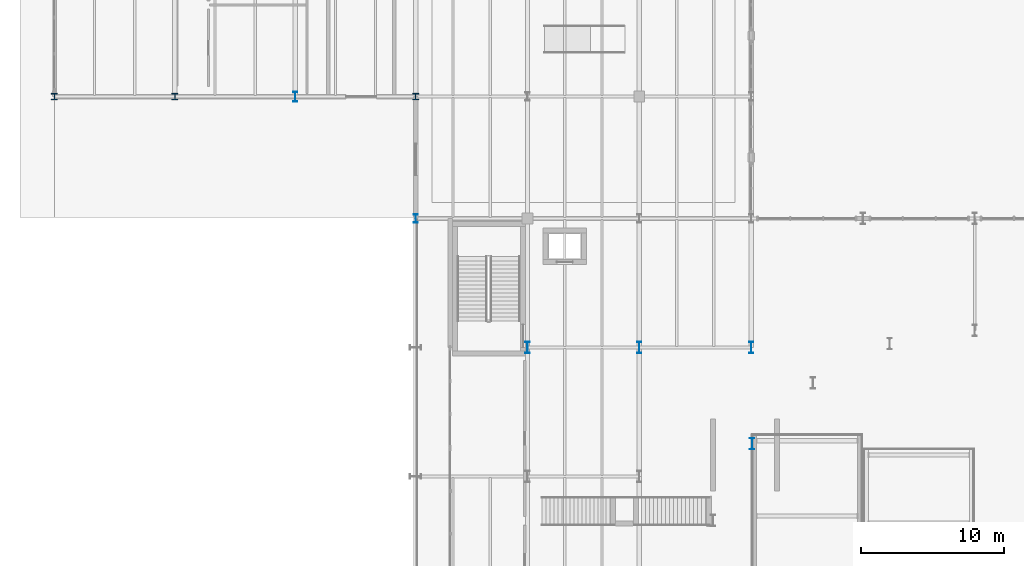
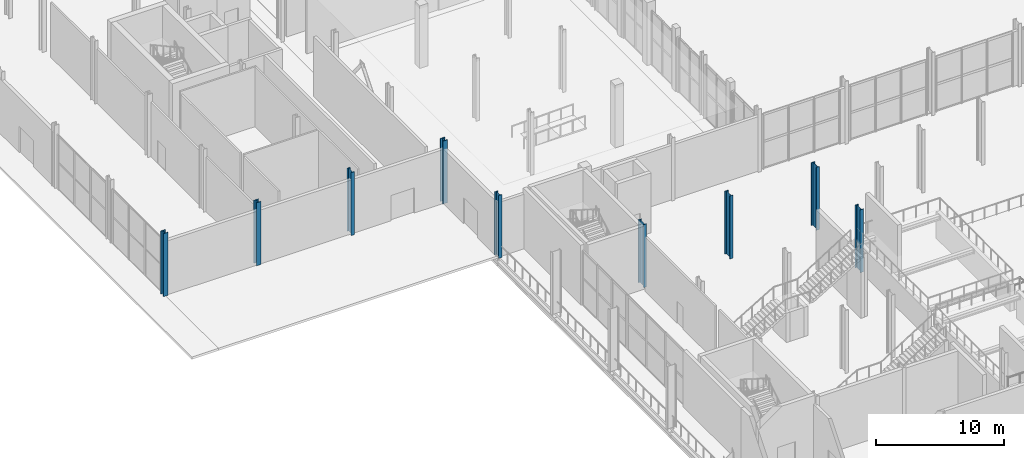
# One storey, part 2 of 84: 9 columns.
"""IFC4 building model written with IfcOpenShell, lengths in metres."""

from ifc_helpers import new_model, si_unit, direction, frame, origin, origin_2d, place, context, subcontext, project, spatial, i_section, extrude, material, material_profile, profile_set, type_object, element, save


model = new_model("IFC4")

# Units and contexts
model_context = context("Model", 3, precision=1e-05, world=origin(), true_north=direction((0.0, 1.0)))
body_context = subcontext(model_context, "Body", "Model", "MODEL_VIEW")
ifc_project = project(units=[si_unit("LENGTHUNIT", "METRE"), si_unit("AREAUNIT", "SQUARE_METRE"), si_unit("VOLUMEUNIT", "CUBIC_METRE"), si_unit("PLANEANGLEUNIT", "RADIAN"), si_unit("MASSUNIT", "GRAM", prefix="KILO")], contexts=[model_context])

# Site, building, storey
site_placement = place(None, origin())
site = spatial("IfcSite", under=ifc_project, at=site_placement, CompositionType="ELEMENT")
building_placement = place(site_placement, origin())
building = spatial("IfcBuilding", under=site, at=building_placement, Name="Sefraquen Railside Congress Hotel", CompositionType="ELEMENT")
storey_placement = place(building_placement, origin())
storey = spatial("IfcBuildingStorey", under=building, at=storey_placement, Name="L00", CompositionType="ELEMENT", Elevation=0.0)

# Columns
ifc_material_1 = material(Name="Steel S355J2", Category="steel")
ifc_material_profile_1 = material_profile(ifc_material_1, i_section(OverallWidth=0.416015625, OverallDepth=0.446044921875, WebThickness=0.035888671875, FlangeThickness=0.048095703125, FilletRadius=0.014892578125, at=origin_2d()), Name="HD 400x509")
ifc_profile_set_1 = profile_set([ifc_material_profile_1], Name="Steel S355J2")
column_type_1 = type_object("IfcColumnType", Name="TC-HD-509", PredefinedType="COLUMN", material=ifc_profile_set_1)
for number, where, z_axis, x_axis, name in (
    (1, (0.0, 62.5, 0.0), (0.0, 0.0, 1.0), (1.0, 0.0, 0.0), "Structural column 1-H L00"),
    (2, (8.39990234375, 62.5, 0.0), (0.0, 0.0, 1.0), (1.0, 0.0, 0.0), "Structural column 2-H L00"),
    (3, (25.199951171875, 62.5, 0.0), (0.0, 0.0, 1.0), (1.0, 0.0, 0.0), "Structural column 4-H L00"),
):
    element("IfcColumn", number, at=place(storey_placement, frame(where, z_axis=z_axis, x_axis=x_axis)), inside=storey, type_object=column_type_1, Name=name, PredefinedType="COLUMN", context=body_context, shape_type="SweptSolid", body=[
        extrude(i_section(OverallWidth=0.416015625, OverallDepth=0.446044921875, WebThickness=0.035888671875, FlangeThickness=0.048095703125, FilletRadius=0.014892578125, at=origin_2d()), origin(), (0.0, 0.0, 1.0), 6.0),
    ])
ifc_material_2 = material(Name="Steel S355JR", Category="steel")
ifc_material_profile_2 = material_profile(ifc_material_2, i_section(OverallWidth=0.300048828125, OverallDepth=0.60009765625, WebThickness=0.015380859375, FlangeThickness=0.030029296875, FilletRadius=0.027099609375, at=origin_2d()), Name="HEB 600")
ifc_profile_set_2 = profile_set([ifc_material_profile_2], Name="Steel S355JR")
column_type_2 = type_object("IfcColumnType", Name="TC-HEB-600", PredefinedType="COLUMN", material=ifc_profile_set_2)
column_1_placement = place(storey_placement, frame((25.199951171875, 54.0, 0.0), z_axis=(0.0, 0.0, 1.0), x_axis=(1.0, 0.0, 0.0)))
element("IfcColumn", 4, at=column_1_placement, inside=storey, type_object=column_type_2, Name="Structural column 4-G L00", PredefinedType="COLUMN", context=body_context, shape_type="SweptSolid", body=[
    extrude(i_section(OverallWidth=0.300048828125, OverallDepth=0.60009765625, WebThickness=0.015380859375, FlangeThickness=0.030029296875, FilletRadius=0.027099609375, at=origin_2d()), origin(), (0.0, 0.0, 1.0), 6.0),
])
ifc_material_profile_3 = material_profile(ifc_material_2, i_section(OverallWidth=0.300048828125, OverallDepth=0.699951171875, WebThickness=0.01708984375, FlangeThickness=0.031982421875, FilletRadius=0.027099609375, at=origin_2d()), Name="HEB 700")
ifc_profile_set_3 = profile_set([ifc_material_profile_3], Name="Steel S355JR")
column_type_3 = type_object("IfcColumnType", Name="TC-HEB-700", PredefinedType="COLUMN", material=ifc_profile_set_3)
column_2_placement = place(storey_placement, frame((16.800048828125, 62.5, 0.0), z_axis=(0.0, 0.0, 1.0), x_axis=(1.0, 0.0, 0.0)))
element("IfcColumn", 5, at=column_2_placement, inside=storey, type_object=column_type_3, Name="Structural column 3-H L00", PredefinedType="COLUMN", context=body_context, shape_type="SweptSolid", body=[
    extrude(i_section(OverallWidth=0.300048828125, OverallDepth=0.699951171875, WebThickness=0.01708984375, FlangeThickness=0.031982421875, FilletRadius=0.027099609375, at=origin_2d()), origin(), (0.0, 0.0, 1.0), 6.0),
])
ifc_material_profile_4 = material_profile(ifc_material_2, i_section(OverallWidth=0.300048828125, OverallDepth=0.800048828125, WebThickness=0.017578125, FlangeThickness=0.032958984375, FilletRadius=0.030029296875, at=origin_2d()), Name="HEB 800")
ifc_profile_set_4 = profile_set([ifc_material_profile_4], Name="Steel S355JR")
column_type_4 = type_object("IfcColumnType", Name="TC-HEB-800", PredefinedType="COLUMN", material=ifc_profile_set_4)
for number, where, z_axis, x_axis, name in (
    (6, (33.0, 45.0, 0.0), (0.0, 0.0, 1.0), (1.0, 0.0, 0.0), "Structural column 5-F L00"),
    (7, (40.800048828125, 45.0, 0.0), (0.0, 0.0, 1.0), (1.0, 0.0, 0.0), "Structural column 6-F L00"),
    (8, (48.60009765625, 45.0, 0.0), (0.0, 0.0, 1.0), (1.0, 0.0, 0.0), "Structural column 7-F L00"),
    (9, (48.6669921875, 38.285400390625, 0.0), (0.0, 0.0, 1.0), (1.0, 0.0, 0.0), "Structural column DRM-09 L00"),
):
    element("IfcColumn", number, at=place(storey_placement, frame(where, z_axis=z_axis, x_axis=x_axis)), inside=storey, type_object=column_type_4, Name=name, PredefinedType="COLUMN", context=body_context, shape_type="SweptSolid", body=[
        extrude(i_section(OverallWidth=0.300048828125, OverallDepth=0.800048828125, WebThickness=0.017578125, FlangeThickness=0.032958984375, FilletRadius=0.030029296875, at=origin_2d()), origin(), (0.0, 0.0, 1.0), 6.0),
    ])

save(model, "model.ifc")
